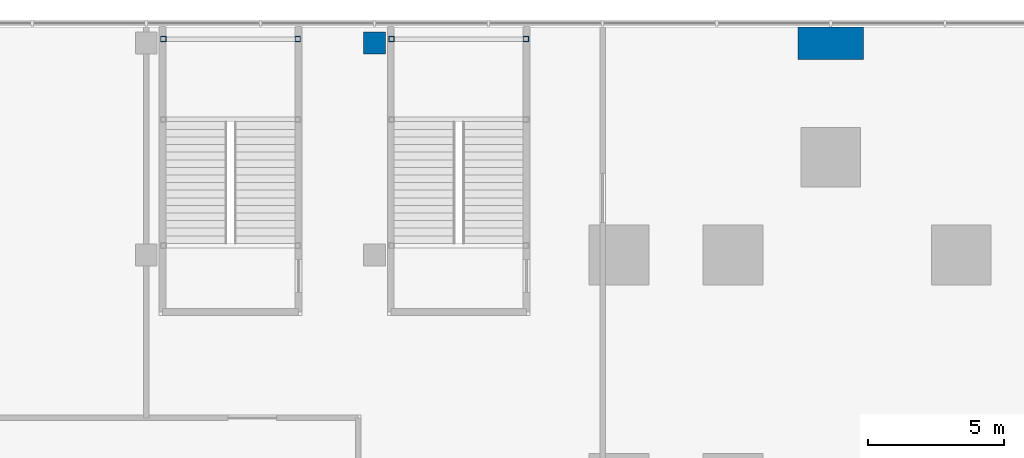
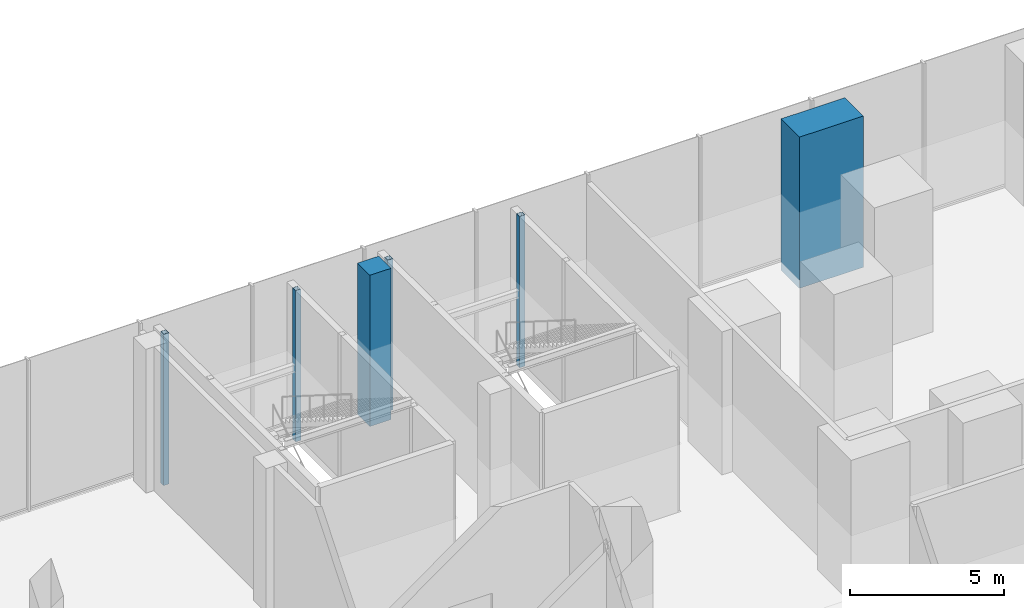
# One storey, part 12 of 32: 6 columns.
"""IFC4 building model written with IfcOpenShell, lengths in metres."""

from ifc_helpers import new_model, si_unit, direction, frame, origin, origin_2d, place, context, subcontext, project, spatial, rectangle, hollow_rectangle, extrude, material, material_profile, profile_set, type_object, element, save


model = new_model("IFC4")

# Units and contexts
model_context = context("Model", 3, precision=1e-05, world=origin(), true_north=direction((0.0, 1.0)))
body_context = subcontext(model_context, "Body", "Model", "MODEL_VIEW")
ifc_project = project(units=[si_unit("LENGTHUNIT", "METRE"), si_unit("AREAUNIT", "SQUARE_METRE"), si_unit("VOLUMEUNIT", "CUBIC_METRE"), si_unit("PLANEANGLEUNIT", "RADIAN"), si_unit("MASSUNIT", "GRAM", prefix="KILO")], contexts=[model_context])

# Site, building, storey
site_placement = place(None, origin())
site = spatial("IfcSite", under=ifc_project, at=site_placement, CompositionType="ELEMENT")
building_placement = place(site_placement, origin())
building = spatial("IfcBuilding", under=site, at=building_placement, Name="Dunama Terrace Hotel", CompositionType="ELEMENT")
storey_placement = place(building_placement, frame((0.0, 0.0, 6.0)))
storey = spatial("IfcBuildingStorey", under=building, at=storey_placement, Name="L01", CompositionType="ELEMENT", Elevation=6.0)

# Columns
ifc_material_1 = material(Name="Concrete C60/75", Category="concrete")
ifc_material_profile_1 = material_profile(ifc_material_1, rectangle(XDim=2.39990234375, YDim=1.199951171875, at=origin_2d()), Name="RC 2400x1200")
ifc_profile_set_1 = profile_set([ifc_material_profile_1], Name="Concrete C60/75")
column_type_1 = type_object("IfcColumnType", Name="Column RC 2400x1200", PredefinedType="COLUMN", material=ifc_profile_set_1)
column_1_placement = place(storey_placement, frame((8.39990234375, 58.199951171875, -0.300048828125), z_axis=(0.0, 0.0, 1.0), x_axis=(1.0, 0.0, 0.0)))
element("IfcColumn", 1, at=column_1_placement, inside=storey, type_object=column_type_1, Name="Column L01 +8.4/+58.2", PredefinedType="COLUMN", context=body_context, shape_type="SweptSolid", body=[
    extrude(rectangle(XDim=2.39990234375, YDim=1.199951171875, at=origin_2d()), origin(), (0.0, 0.0, 1.0), 6.0),
])
ifc_material_2 = material(Name="Concrete C40/50", Category="concrete")
ifc_material_profile_2 = material_profile(ifc_material_2, rectangle(XDim=0.800048828125, YDim=0.800048828125, at=origin_2d()), Name="RC 800x800")
ifc_profile_set_2 = profile_set([ifc_material_profile_2], Name="Concrete C40/50")
column_type_2 = type_object("IfcColumnType", Name="Column RC 800x800", PredefinedType="COLUMN", material=ifc_profile_set_2)
column_2_placement = place(storey_placement, frame((-8.39990234375, 58.199951171875, -0.300048828125), z_axis=(0.0, 0.0, 1.0), x_axis=(1.0, 0.0, 0.0)))
element("IfcColumn", 2, at=column_2_placement, inside=storey, type_object=column_type_2, Name="Column L01 -8.4/+58.2", PredefinedType="COLUMN", context=body_context, shape_type="SweptSolid", body=[
    extrude(rectangle(XDim=0.800048828125, YDim=0.800048828125, at=origin_2d()), origin(), (0.0, 0.0, 1.0), 6.0),
])
ifc_material_3 = material(Name="Steel S355", Category="steel")
ifc_material_profile_3 = material_profile(ifc_material_3, hollow_rectangle(XDim=0.199951171875, YDim=0.199951171875, WallThickness=0.010009765625, at=origin_2d()), Name="SHS 200x200x10")
ifc_profile_set_3 = profile_set([ifc_material_profile_3], Name="Steel S355")
column_type_3 = type_object("IfcColumnType", Name="Stair post SHS 200x200x10", PredefinedType="COLUMN", material=ifc_profile_set_3)
for number, where, z_axis, x_axis, name in (
    (3, (-16.175048828125, 58.35009765625, -0.300048828125), (0.0, 0.0, 1.0), (1.0, 0.0, 0.0), "Stair post P1 L01 -16.18/+58.35"),
    (4, (-11.22509765625, 58.35009765625, -0.300048828125), (0.0, 0.0, 1.0), (1.0, 0.0, 0.0), "Stair post P1 L01 -11.22/+58.35"),
    (5, (-7.77490234375, 58.35009765625, -0.300048828125), (0.0, 0.0, 1.0), (1.0, 0.0, 0.0), "Stair post P3 L01 -7.78/+58.35"),
    (6, (-2.824951171875, 58.35009765625, -0.300048828125), (0.0, 0.0, 1.0), (1.0, 0.0, 0.0), "Stair post P3 L01 -2.83/+58.35"),
):
    element("IfcColumn", number, at=place(storey_placement, frame(where, z_axis=z_axis, x_axis=x_axis)), inside=storey, type_object=column_type_3, Name=name, PredefinedType="COLUMN", context=body_context, shape_type="SweptSolid", body=[
        extrude(hollow_rectangle(XDim=0.199951171875, YDim=0.199951171875, WallThickness=0.010009765625, at=origin_2d()), origin(), (0.0, 0.0, 1.0), 6.0),
    ])

save(model, "model.ifc")
